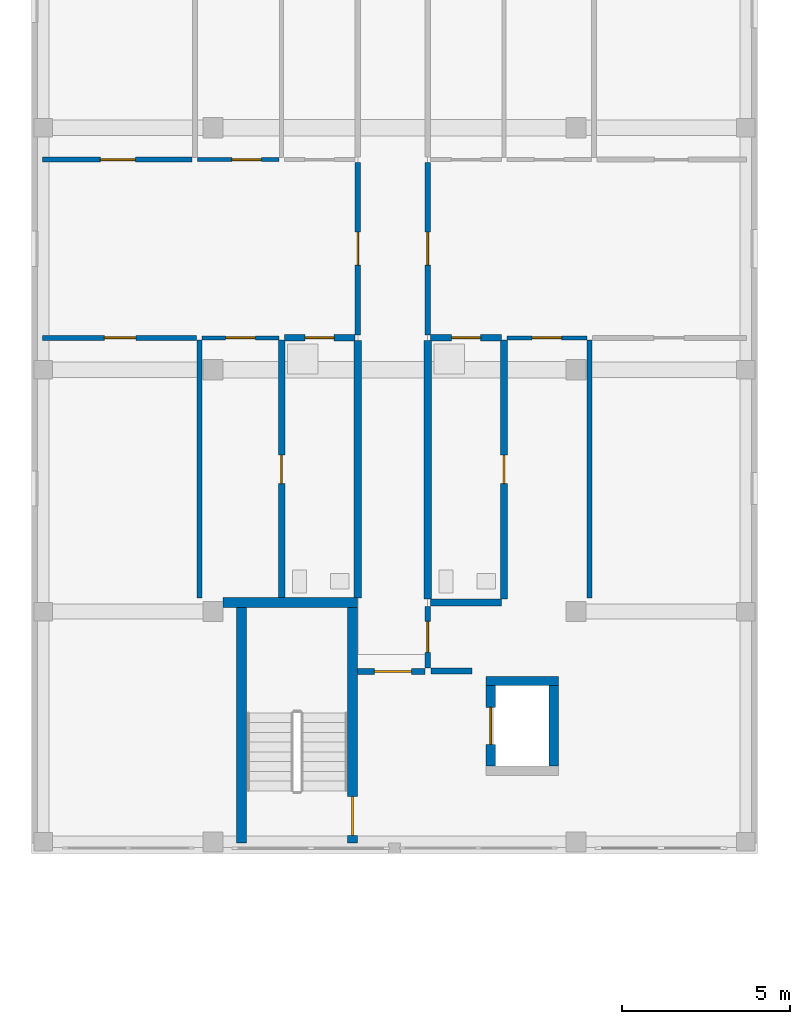
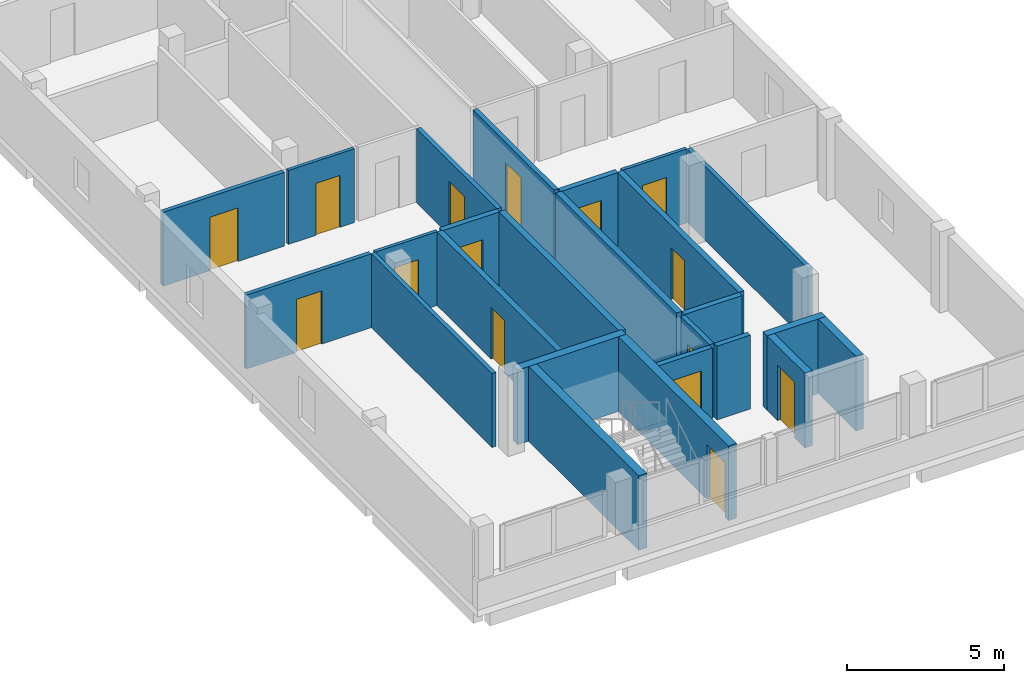
# One storey, part 16 of 38: 25 walls, 15 doors, 15 openings.
"""IFC4 building model written with IfcOpenShell, lengths in metres."""

from ifc_helpers import new_model, si_unit, derived_unit, direction, frame, frame_2d, origin, place, context, subcontext, project, spatial, rectangle, extrude, material, layer, layer_set, type_object, element, fill, save


model = new_model("IFC4")

# Units and contexts
model_context = context("Model", 3, precision=1e-05, world=origin(), true_north=direction((0.0, 1.0)))
body_context = subcontext(model_context, "Body", "Model", "MODEL_VIEW")
ifc_project = project(units=[si_unit("LENGTHUNIT", "METRE"), si_unit("AREAUNIT", "SQUARE_METRE"), si_unit("VOLUMEUNIT", "CUBIC_METRE"), si_unit("PLANEANGLEUNIT", "RADIAN"), si_unit("MASSUNIT", "GRAM", prefix="KILO"), derived_unit("THERMALTRANSMITTANCEUNIT", [(si_unit("MASSUNIT", "GRAM", prefix="KILO"), 1), (si_unit("TIMEUNIT", "SECOND"), -3), (si_unit("THERMODYNAMICTEMPERATUREUNIT", "KELVIN"), -1)])], contexts=[model_context])

# Site, building, storey
site_placement = place(None, origin())
site = spatial("IfcSite", under=ifc_project, at=site_placement, CompositionType="ELEMENT")
building_placement = place(site_placement, origin())
building = spatial("IfcBuilding", under=site, at=building_placement, Name="Ochrekiln Boulevard Commons", CompositionType="ELEMENT")
storey_placement = place(building_placement, frame((0.0, 0.0, 24.675048828125)))
storey = spatial("IfcBuildingStorey", under=building, at=storey_placement, Name="L07", CompositionType="ELEMENT", Elevation=24.675048828125)

# Wall
ifc_material_1 = material(Name="Moisture-resistant cementitious tile backer wall")
ifc_layer_1 = layer(ifc_material_1, 0.199951171875)
ifc_layer_set_1 = layer_set([ifc_layer_1], Name="Moisture-resistant cementitious tile backer wall")
wall_type_1 = type_object("IfcWallType", Name="WL-PLM-200", PredefinedType="PLUMBINGWALL", material=ifc_layer_set_1)
wall_1_placement = place(storey_placement, frame((11.8720703125, 75.875, 0.0), z_axis=(0.0, 0.0, 1.0), x_axis=(1.0, 0.0, 0.0)))
element("IfcWall", 1, at=wall_1_placement, inside=storey, type_object=wall_type_1, Name="L07 Interior Wall W-PW200", PredefinedType="PLUMBINGWALL", context=body_context, shape_type="SweptSolid", body=[
    extrude(rectangle(XDim=2.10791015625, YDim=0.199951171875, at=frame_2d((1.053955078125, 0.0))), origin(), (0.0, 0.0, 1.0), 2.869873046875),
])

# Wall, opening, door
wall_2_placement = place(storey_placement, frame((7.52001953125, 83.75, 0.0), z_axis=(0.0, 0.0, 1.0), x_axis=(1.0, 0.0, 0.0)))
wall_2 = element("IfcWall", 2, at=wall_2_placement, inside=storey, type_object=wall_type_1, Name="L07 Interior Wall W-PW200", PredefinedType="PLUMBINGWALL", context=body_context, shape_type="SweptSolid", body=[
    extrude(rectangle(XDim=2.10791015625, YDim=0.199951171875, at=frame_2d((1.053955078125, 0.0))), origin(), (0.0, 0.0, 1.0), 2.869873046875),
])
opening_1_placement = place(wall_2_placement, frame((0.6201171875, 0.0, 0.0)))
opening_1 = element("IfcOpeningElement", 3, at=opening_1_placement, cuts=wall_2, Name="Opening D-L07-903", PredefinedType="OPENING", context=body_context, shape_type="SweptSolid", body=[
    extrude(rectangle(XDim=0.860107421875, YDim=2.0, at=frame_2d((0.43017578125, 1.0))), frame((0.0, 0.10986328125, 0.0), z_axis=(0.0, -1.0, 0.0), x_axis=(1.0, 0.0, 0.0)), (0.0, 0.0, 1.0), 0.219970703125),
])
ifc_material_2 = material(Name="Solid core architectural oak door leaf")
door_type_1 = type_object("IfcDoorType", Name="DR-INT-BTH-086", OperationType="NOTDEFINED", PredefinedType="DOOR", material=ifc_material_2)
door_1_placement = place(opening_1_placement, frame((0.860107421875, 0.0, 0.0), z_axis=(0.0, 0.0, 1.0), x_axis=(-1.0, 0.0, 0.0)))
door_1 = element("IfcDoor", 4, at=door_1_placement, inside=storey, type_object=door_type_1, Name="L07 Interior Door to Accessible Apartment Bathroom", OperationType="SINGLE_SWING_LEFT", OverallHeight=2.0, OverallWidth=0.860107421875, PredefinedType="DOOR", context=body_context, shape_type="SweptSolid", body=[
    extrude(rectangle(XDim=0.860107421875, YDim=2.0, at=frame_2d((0.43017578125, 1.0))), frame((0.0, 0.02490234375, 0.0), z_axis=(0.0, -1.0, 0.0), x_axis=(1.0, 0.0, 0.0)), (0.0, 0.0, 1.0), 0.050048828125),
])
fill(opening_1, door_1)

wall_3_placement = place(storey_placement, frame((7.43994140625, 76.0, 0.0), z_axis=(0.0, 0.0, 1.0), x_axis=(0.0, 1.0, 0.0)))
wall_3 = element("IfcWall", 5, at=wall_3_placement, inside=storey, type_object=wall_type_1, Name="L07 Interior Wall W-PW200", PredefinedType="PLUMBINGWALL", context=body_context, shape_type="SweptSolid", body=[
    extrude(rectangle(XDim=7.68994140625, YDim=0.199951171875, at=frame_2d((3.844970703125, 0.0))), origin(), (0.0, 0.0, 1.0), 2.869873046875),
])
opening_2_placement = place(wall_3_placement, frame((3.409912109375, 0.0, 0.0)))
opening_2 = element("IfcOpeningElement", 6, at=opening_2_placement, cuts=wall_3, Name="Opening D-L07-909", PredefinedType="OPENING", context=body_context, shape_type="SweptSolid", body=[
    extrude(rectangle(XDim=0.85009765625, YDim=2.010009765625, at=frame_2d((0.425048828125, 1.0048828125))), frame((0.0, 0.10986328125, 0.0), z_axis=(0.0, -1.0, 0.0), x_axis=(1.0, 0.0, 0.0)), (0.0, 0.0, 1.0), 0.219970703125),
])
door_type_2 = type_object("IfcDoorType", Name="DR-INT-KIT-085", OperationType="NOTDEFINED", PredefinedType="DOOR", material=ifc_material_2)
door_2_placement = place(opening_2_placement, frame((0.85009765625, 0.0, 0.0), z_axis=(0.0, 0.0, 1.0), x_axis=(-1.0, 0.0, 0.0)))
door_2 = element("IfcDoor", 7, at=door_2_placement, inside=storey, type_object=door_type_2, Name="L07 Interior Door to Accessible Apartment Bathroom", OperationType="SINGLE_SWING_LEFT", OverallHeight=2.010009765625, OverallWidth=0.85009765625, PredefinedType="DOOR", context=body_context, shape_type="SweptSolid", body=[
    extrude(rectangle(XDim=0.85009765625, YDim=2.010009765625, at=frame_2d((0.425048828125, 1.0048828125))), frame((0.0, 0.02490234375, 0.0), z_axis=(0.0, -1.0, 0.0), x_axis=(1.0, 0.0, 0.0)), (0.0, 0.0, 1.0), 0.050048828125),
])
fill(opening_2, door_2)

wall_4_placement = place(storey_placement, frame((11.8720703125, 83.75, 0.0), z_axis=(0.0, 0.0, 1.0), x_axis=(1.0, 0.0, 0.0)))
wall_4 = element("IfcWall", 8, at=wall_4_placement, inside=storey, type_object=wall_type_1, Name="L07 Interior Wall W-PW200", PredefinedType="PLUMBINGWALL", context=body_context, shape_type="SweptSolid", body=[
    extrude(rectangle(XDim=2.10791015625, YDim=0.199951171875, at=frame_2d((1.053955078125, 0.0))), origin(), (0.0, 0.0, 1.0), 2.869873046875),
])
opening_3_placement = place(wall_4_placement, frame((0.6279296875, 0.0, 0.0)))
opening_3 = element("IfcOpeningElement", 9, at=opening_3_placement, cuts=wall_4, Name="Opening D-L07-914", PredefinedType="OPENING", context=body_context, shape_type="SweptSolid", body=[
    extrude(rectangle(XDim=0.860107421875, YDim=2.0, at=frame_2d((0.43017578125, 1.0))), frame((0.0, 0.10986328125, 0.0), z_axis=(0.0, -1.0, 0.0), x_axis=(1.0, 0.0, 0.0)), (0.0, 0.0, 1.0), 0.219970703125),
])
door_3_placement = place(opening_3_placement, frame((0.860107421875, 0.0, 0.0), z_axis=(0.0, 0.0, 1.0), x_axis=(-1.0, 0.0, 0.0)))
door_3 = element("IfcDoor", 10, at=door_3_placement, inside=storey, type_object=door_type_1, Name="L07 Interior Door to Apartment Bathroom", OperationType="SINGLE_SWING_RIGHT", OverallHeight=2.0, OverallWidth=0.860107421875, PredefinedType="DOOR", context=body_context, shape_type="SweptSolid", body=[
    extrude(rectangle(XDim=0.860107421875, YDim=2.0, at=frame_2d((0.43017578125, 1.0))), frame((0.0, 0.02490234375, 0.0), z_axis=(0.0, -1.0, 0.0), x_axis=(1.0, 0.0, 0.0)), (0.0, 0.0, 1.0), 0.050048828125),
])
fill(opening_3, door_3)

wall_5_placement = place(storey_placement, frame((14.06005859375, 75.97509765625, 0.0), z_axis=(0.0, 0.0, 1.0), x_axis=(0.0, 1.0, 0.0)))
wall_5 = element("IfcWall", 11, at=wall_5_placement, inside=storey, type_object=wall_type_1, Name="L07 Interior Wall W-PW200", PredefinedType="PLUMBINGWALL", context=body_context, shape_type="SweptSolid", body=[
    extrude(rectangle(XDim=7.71484375, YDim=0.199951171875, at=frame_2d((3.857421875, 0.0))), origin(), (0.0, 0.0, 1.0), 2.869873046875),
])
opening_4_placement = place(wall_5_placement, frame((3.43505859375, 0.0, 0.0)))
opening_4 = element("IfcOpeningElement", 12, at=opening_4_placement, cuts=wall_5, Name="Opening D-L07-920", PredefinedType="OPENING", context=body_context, shape_type="SweptSolid", body=[
    extrude(rectangle(XDim=0.85009765625, YDim=2.010009765625, at=frame_2d((0.425048828125, 1.0048828125))), frame((0.0, 0.10986328125, 0.0), z_axis=(0.0, -1.0, 0.0), x_axis=(1.0, 0.0, 0.0)), (0.0, 0.0, 1.0), 0.219970703125),
])
door_4_placement = place(opening_4_placement, origin())
door_4 = element("IfcDoor", 13, at=door_4_placement, inside=storey, type_object=door_type_2, Name="L07 Interior Door to Apartment Bathroom", OperationType="SINGLE_SWING_RIGHT", OverallHeight=2.010009765625, OverallWidth=0.85009765625, PredefinedType="DOOR", context=body_context, shape_type="SweptSolid", body=[
    extrude(rectangle(XDim=0.85009765625, YDim=2.010009765625, at=frame_2d((0.425048828125, 1.0048828125))), frame((0.0, 0.02490234375, 0.0), z_axis=(0.0, -1.0, 0.0), x_axis=(1.0, 0.0, 0.0)), (0.0, 0.0, 1.0), 0.050048828125),
])
fill(opening_4, door_4)

# Walls
ifc_layer_2 = layer(ifc_material_1, 0.219970703125)
ifc_layer_set_2 = layer_set([ifc_layer_2], Name="Moisture-resistant cementitious tile backer wall")
wall_type_2 = type_object("IfcWallType", Name="WL-PLM-220", PredefinedType="PLUMBINGWALL", material=ifc_layer_set_2)
wall_6_placement = place(storey_placement, frame((9.7099609375, 76.0, 0.0), z_axis=(0.0, 0.0, 1.0), x_axis=(0.0, 1.0, 0.0)))
element("IfcWall", 14, at=wall_6_placement, inside=storey, type_object=wall_type_2, Name="L07 Interior Wall W-PW220", PredefinedType="PLUMBINGWALL", context=body_context, shape_type="SweptSolid", body=[
    extrude(rectangle(XDim=7.669921875, YDim=0.219970703125, at=frame_2d((3.8349609375, 0.0))), origin(), (0.0, 0.0, 1.0), 2.869873046875),
])
wall_7_placement = place(storey_placement, frame((11.7900390625, 75.97509765625, 0.0), z_axis=(0.0, 0.0, 1.0), x_axis=(0.0, 1.0, 0.0)))
element("IfcWall", 15, at=wall_7_placement, inside=storey, type_object=wall_type_2, Name="L07 Interior Wall W-PW220", PredefinedType="PLUMBINGWALL", context=body_context, shape_type="SweptSolid", body=[
    extrude(rectangle(XDim=7.69482421875, YDim=0.219970703125, at=frame_2d((3.847412109375, 0.0))), origin(), (0.0, 0.0, 1.0), 2.869873046875),
])

# Wall, opening, door
ifc_material_3 = material(Name="Fire-rated Type X gypsum board on steel studs", Category="steel")
ifc_layer_3 = layer(ifc_material_3, 0.1650390625)
ifc_layer_set_3 = layer_set([ifc_layer_3], Name="Fire-rated Type X gypsum board on steel studs")
wall_type_3 = type_object("IfcWallType", Name="WL-PT-CORR-165", PredefinedType="PARTITIONING", material=ifc_layer_set_3)
wall_8_placement = place(storey_placement, frame((11.7900390625, 73.929931640625, 0.0), z_axis=(0.0, 0.0, 1.0), x_axis=(0.0, 1.0, 0.0)))
wall_8 = element("IfcWall", 16, at=wall_8_placement, inside=storey, type_object=wall_type_3, Name="L07 Interior Wall W-PC165", PredefinedType="PARTITIONING", context=body_context, shape_type="SweptSolid", body=[
    extrude(rectangle(XDim=1.820068359375, YDim=0.1650390625, at=frame_2d((0.91015625, 0.0))), origin(), (0.0, 0.0, 1.0), 2.869873046875),
])
opening_5_placement = place(wall_8_placement, frame((0.4599609375, 0.0, 0.0)))
opening_5 = element("IfcOpeningElement", 17, at=opening_5_placement, cuts=wall_8, Name="Opening D-L07-898", PredefinedType="OPENING", context=body_context, shape_type="SweptSolid", body=[
    extrude(rectangle(XDim=0.919921875, YDim=2.0400390625, at=frame_2d((0.4599609375, 1.02001953125))), frame((0.0, 0.092529296875, 0.0), z_axis=(0.0, -1.0, 0.0), x_axis=(1.0, 0.0, 0.0)), (0.0, 0.0, 1.0), 0.18505859375),
])
ifc_material_4 = material(Name="Hollow metal fire-rated steel door assembly", Category="steel")
door_type_3 = type_object("IfcDoorType", Name="DR-SRV-90", OperationType="NOTDEFINED", PredefinedType="DOOR", material=ifc_material_4)
door_5_placement = place(opening_5_placement, frame((0.919921875, 0.0, 0.0), z_axis=(0.0, 0.0, 1.0), x_axis=(-1.0, 0.0, 0.0)))
door_5 = element("IfcDoor", 18, at=door_5_placement, inside=storey, type_object=door_type_3, Name="L07 Interior Door to Hydronic and Electrical Riser Room", OperationType="SINGLE_SWING_RIGHT", OverallHeight=2.0400390625, OverallWidth=0.919921875, PredefinedType="DOOR", context=body_context, shape_type="SweptSolid", body=[
    extrude(rectangle(XDim=0.919921875, YDim=2.0400390625, at=frame_2d((0.4599609375, 1.02001953125))), frame((0.0, 0.02490234375, 0.0), z_axis=(0.0, -1.0, 0.0), x_axis=(1.0, 0.0, 0.0)), (0.0, 0.0, 1.0), 0.050048828125),
])
fill(opening_5, door_5)

wall_9_placement = place(storey_placement, frame((9.7099609375, 83.830078125, 0.0), z_axis=(0.0, 0.0, 1.0), x_axis=(0.0, 1.0, 0.0)))
wall_9 = element("IfcWall", 19, at=wall_9_placement, inside=storey, type_object=wall_type_3, Name="L07 Interior Wall W-PC165", PredefinedType="PARTITIONING", context=body_context, shape_type="SweptSolid", body=[
    extrude(rectangle(XDim=5.139892578125, YDim=0.1650390625, at=frame_2d((2.56982421875, 0.0))), origin(), (0.0, 0.0, 1.0), 2.869873046875),
])
opening_6_placement = place(wall_9_placement, frame((2.080078125, 0.0, 0.0)))
opening_6 = element("IfcOpeningElement", 20, at=opening_6_placement, cuts=wall_9, Name="Opening D-L07-899", PredefinedType="OPENING", context=body_context, shape_type="SweptSolid", body=[
    extrude(rectangle(XDim=0.97998046875, YDim=2.080078125, at=frame_2d((0.489990234375, 1.0400390625))), frame((0.0, 0.092529296875, 0.0), z_axis=(0.0, -1.0, 0.0), x_axis=(1.0, 0.0, 0.0)), (0.0, 0.0, 1.0), 0.18505859375),
])
door_type_4 = type_object("IfcDoorType", Name="DR-APT-60", OperationType="NOTDEFINED", PredefinedType="DOOR", material=ifc_material_2)
door_6_placement = place(opening_6_placement, origin())
door_6 = element("IfcDoor", 21, at=door_6_placement, inside=storey, type_object=door_type_4, Name="L07 Interior Door to Two-Bedroom Apartment Living Room", OperationType="SINGLE_SWING_LEFT", OverallHeight=2.080078125, OverallWidth=0.97998046875, PredefinedType="DOOR", context=body_context, shape_type="SweptSolid", body=[
    extrude(rectangle(XDim=0.97998046875, YDim=2.080078125, at=frame_2d((0.489990234375, 1.0400390625))), frame((0.0, 0.02490234375, 0.0), z_axis=(0.0, -1.0, 0.0), x_axis=(1.0, 0.0, 0.0)), (0.0, 0.0, 1.0), 0.050048828125),
])
fill(opening_6, door_6)

wall_10_placement = place(storey_placement, frame((11.7900390625, 83.830078125, 0.0), z_axis=(0.0, 0.0, 1.0), x_axis=(0.0, 1.0, 0.0)))
wall_10 = element("IfcWall", 22, at=wall_10_placement, inside=storey, type_object=wall_type_3, Name="L07 Interior Wall W-PC165", PredefinedType="PARTITIONING", context=body_context, shape_type="SweptSolid", body=[
    extrude(rectangle(XDim=5.139892578125, YDim=0.1650390625, at=frame_2d((2.56982421875, 0.0))), origin(), (0.0, 0.0, 1.0), 2.869873046875),
])
opening_7_placement = place(wall_10_placement, frame((2.080078125, 0.0, 0.0)))
opening_7 = element("IfcOpeningElement", 23, at=opening_7_placement, cuts=wall_10, Name="Opening D-L07-901", PredefinedType="OPENING", context=body_context, shape_type="SweptSolid", body=[
    extrude(rectangle(XDim=0.97998046875, YDim=2.080078125, at=frame_2d((0.489990234375, 1.0400390625))), frame((0.0, 0.092529296875, 0.0), z_axis=(0.0, -1.0, 0.0), x_axis=(1.0, 0.0, 0.0)), (0.0, 0.0, 1.0), 0.18505859375),
])
door_7_placement = place(opening_7_placement, frame((0.97998046875, 0.0, 0.0), z_axis=(0.0, 0.0, 1.0), x_axis=(-1.0, 0.0, 0.0)))
door_7 = element("IfcDoor", 24, at=door_7_placement, inside=storey, type_object=door_type_4, Name="L07 Interior Door to Two-Bedroom Apartment Living Room", OperationType="SINGLE_SWING_LEFT", OverallHeight=2.080078125, OverallWidth=0.97998046875, PredefinedType="DOOR", context=body_context, shape_type="SweptSolid", body=[
    extrude(rectangle(XDim=0.97998046875, YDim=2.080078125, at=frame_2d((0.489990234375, 1.0400390625))), frame((0.0, 0.02490234375, 0.0), z_axis=(0.0, -1.0, 0.0), x_axis=(1.0, 0.0, 0.0)), (0.0, 0.0, 1.0), 0.050048828125),
])
fill(opening_7, door_7)

# Wall
ifc_layer_4 = layer(ifc_material_3, 0.18994140625)
ifc_layer_set_4 = layer_set([ifc_layer_4], Name="Fire-rated Type X gypsum board on steel studs")
wall_type_4 = type_object("IfcWallType", Name="WL-PT-LBY-190", PredefinedType="PARTITIONING", material=ifc_layer_set_4)
wall_11_placement = place(storey_placement, frame((11.8798828125, 73.8349609375, 0.0), z_axis=(0.0, 0.0, 1.0), x_axis=(1.0, 0.0, 0.0)))
element("IfcWall", 25, at=wall_11_placement, inside=storey, type_object=wall_type_4, Name="L07 Interior Wall W-PL190", PredefinedType="PARTITIONING", context=body_context, shape_type="SweptSolid", body=[
    extrude(rectangle(XDim=1.22021484375, YDim=0.18994140625, at=frame_2d((0.610107421875, 0.0))), origin(), (0.0, 0.0, 1.0), 2.869873046875),
])

# Wall, opening, door
wall_12_placement = place(storey_placement, frame((9.699951171875, 73.820068359375, 0.0), z_axis=(0.0, 0.0, 1.0), x_axis=(1.0, 0.0, 0.0)))
wall_12 = element("IfcWall", 26, at=wall_12_placement, inside=storey, type_object=wall_type_4, Name="L07 Interior Wall W-PL190", PredefinedType="PARTITIONING", context=body_context, shape_type="SweptSolid", body=[
    extrude(rectangle(XDim=2.0, YDim=0.18994140625, at=frame_2d((1.0, 0.0))), origin(), (0.0, 0.0, 1.0), 2.869873046875),
])
opening_8_placement = place(wall_12_placement, frame((0.5, 0.0, 0.0)))
opening_8 = element("IfcOpeningElement", 27, at=opening_8_placement, cuts=wall_12, Name="Opening D-L07-896", PredefinedType="OPENING", context=body_context, shape_type="SweptSolid", body=[
    extrude(rectangle(XDim=1.10009765625, YDim=2.1201171875, at=frame_2d((0.550048828125, 1.06005859375))), frame((0.0, 0.10498046875, 0.0), z_axis=(0.0, -1.0, 0.0), x_axis=(1.0, 0.0, 0.0)), (0.0, 0.0, 1.0), 0.2099609375),
])
door_type_5 = type_object("IfcDoorType", Name="DR-LOBBY-60", OperationType="NOTDEFINED", PredefinedType="DOOR", material=ifc_material_4)
door_8_placement = place(opening_8_placement, frame((1.10009765625, 0.0, 0.0), z_axis=(0.0, 0.0, 1.0), x_axis=(-1.0, 0.0, 0.0)))
door_8 = element("IfcDoor", 28, at=door_8_placement, inside=storey, type_object=door_type_5, Name="L07 Interior Door to Fire Service Access Elevator Lobby", OperationType="SINGLE_SWING_RIGHT", OverallHeight=2.1201171875, OverallWidth=1.10009765625, PredefinedType="DOOR", context=body_context, shape_type="SweptSolid", body=[
    extrude(rectangle(XDim=1.10009765625, YDim=2.1201171875, at=frame_2d((0.550048828125, 1.06005859375))), frame((0.0, 0.02490234375, 0.0), z_axis=(0.0, -1.0, 0.0), x_axis=(1.0, 0.0, 0.0)), (0.0, 0.0, 1.0), 0.050048828125),
])
fill(opening_8, door_8)

ifc_layer_5 = layer(ifc_material_3, 0.1201171875)
ifc_layer_set_5 = layer_set([ifc_layer_5], Name="Fire-rated Type X gypsum board on steel studs")
wall_type_5 = type_object("IfcWallType", Name="WL-PT-LGT-120", PredefinedType="PARTITIONING", material=ifc_layer_set_5)
wall_13_placement = place(storey_placement, frame((5.072998046875, 83.75, 0.0), z_axis=(0.0, 0.0, 1.0), x_axis=(1.0, 0.0, 0.0)))
wall_13 = element("IfcWall", 29, at=wall_13_placement, inside=storey, type_object=wall_type_5, Name="L07 Interior Wall W-PL120", PredefinedType="PARTITIONING", context=body_context, shape_type="SweptSolid", body=[
    extrude(rectangle(XDim=2.287109375, YDim=0.1201171875, at=frame_2d((1.1435546875, 0.0))), origin(), (0.0, 0.0, 1.0), 2.869873046875),
])
opening_9_placement = place(wall_13_placement, frame((0.702880859375, 0.0, 0.0)))
opening_9 = element("IfcOpeningElement", 30, at=opening_9_placement, cuts=wall_13, Name="Opening D-L07-906", PredefinedType="OPENING", context=body_context, shape_type="SweptSolid", body=[
    extrude(rectangle(XDim=0.8798828125, YDim=2.02001953125, at=frame_2d((0.43994140625, 1.010009765625))), frame((0.0, 0.070068359375, 0.0), z_axis=(0.0, -1.0, 0.0), x_axis=(1.0, 0.0, 0.0)), (0.0, 0.0, 1.0), 0.14013671875),
])
door_type_6 = type_object("IfcDoorType", Name="DR-INT-KIT-088", OperationType="NOTDEFINED", PredefinedType="DOOR", material=ifc_material_2)
door_9_placement = place(opening_9_placement, frame((0.8798828125, 0.0, 0.0), z_axis=(0.0, 0.0, 1.0), x_axis=(-1.0, 0.0, 0.0)))
door_9 = element("IfcDoor", 31, at=door_9_placement, inside=storey, type_object=door_type_6, Name="L07 Interior Door to Apartment Walk-In Wardrobe", OperationType="SINGLE_SWING_RIGHT", OverallHeight=2.02001953125, OverallWidth=0.8798828125, PredefinedType="DOOR", context=body_context, shape_type="SweptSolid", body=[
    extrude(rectangle(XDim=0.8798828125, YDim=2.02001953125, at=frame_2d((0.43994140625, 1.010009765625))), frame((0.0, 0.02490234375, 0.0), z_axis=(0.0, -1.0, 0.0), x_axis=(1.0, 0.0, 0.0)), (0.0, 0.0, 1.0), 0.050048828125),
])
fill(opening_9, door_9)

wall_14_placement = place(storey_placement, frame((4.93994140625, 89.050048828125, 0.0), z_axis=(0.0, 0.0, 1.0), x_axis=(1.0, 0.0, 0.0)))
wall_14 = element("IfcWall", 32, at=wall_14_placement, inside=storey, type_object=wall_type_5, Name="L07 Interior Wall W-PL120", PredefinedType="PARTITIONING", context=body_context, shape_type="SweptSolid", body=[
    extrude(rectangle(XDim=2.420166015625, YDim=0.1201171875, at=frame_2d((1.2099609375, 0.0))), origin(), (0.0, 0.0, 1.0), 2.869873046875),
])
opening_10_placement = place(wall_14_placement, frame((1.02001953125, 0.0, 0.0)))
opening_10 = element("IfcOpeningElement", 33, at=opening_10_placement, cuts=wall_14, Name="Opening D-L07-908", PredefinedType="OPENING", context=body_context, shape_type="SweptSolid", body=[
    extrude(rectangle(XDim=0.8798828125, YDim=2.02001953125, at=frame_2d((0.43994140625, 1.010009765625))), frame((0.0, 0.070068359375, 0.0), z_axis=(0.0, -1.0, 0.0), x_axis=(1.0, 0.0, 0.0)), (0.0, 0.0, 1.0), 0.14013671875),
])
door_10_placement = place(opening_10_placement, origin())
door_10 = element("IfcDoor", 34, at=door_10_placement, inside=storey, type_object=door_type_6, Name="L07 Interior Door to Apartment Walk-In Wardrobe", OperationType="SINGLE_SWING_RIGHT", OverallHeight=2.02001953125, OverallWidth=0.8798828125, PredefinedType="DOOR", context=body_context, shape_type="SweptSolid", body=[
    extrude(rectangle(XDim=0.8798828125, YDim=2.02001953125, at=frame_2d((0.43994140625, 1.010009765625))), frame((0.0, 0.02490234375, 0.0), z_axis=(0.0, -1.0, 0.0), x_axis=(1.0, 0.0, 0.0)), (0.0, 0.0, 1.0), 0.050048828125),
])
fill(opening_10, door_10)

wall_15_placement = place(storey_placement, frame((14.139892578125, 83.75, 0.0), z_axis=(0.0, 0.0, 1.0), x_axis=(1.0, 0.0, 0.0)))
wall_15 = element("IfcWall", 35, at=wall_15_placement, inside=storey, type_object=wall_type_5, Name="L07 Interior Wall W-PL120", PredefinedType="PARTITIONING", context=body_context, shape_type="SweptSolid", body=[
    extrude(rectangle(XDim=2.38720703125, YDim=0.1201171875, at=frame_2d((1.193603515625, 0.0))), origin(), (0.0, 0.0, 1.0), 2.869873046875),
])
opening_11_placement = place(wall_15_placement, frame((0.75390625, 0.0, 0.0)))
opening_11 = element("IfcOpeningElement", 36, at=opening_11_placement, cuts=wall_15, Name="Opening D-L07-917", PredefinedType="OPENING", context=body_context, shape_type="SweptSolid", body=[
    extrude(rectangle(XDim=0.8798828125, YDim=2.02001953125, at=frame_2d((0.43994140625, 1.010009765625))), frame((0.0, 0.070068359375, 0.0), z_axis=(0.0, -1.0, 0.0), x_axis=(1.0, 0.0, 0.0)), (0.0, 0.0, 1.0), 0.14013671875),
])
door_11_placement = place(opening_11_placement, frame((0.8798828125, 0.0, 0.0), z_axis=(0.0, 0.0, 1.0), x_axis=(-1.0, 0.0, 0.0)))
door_11 = element("IfcDoor", 37, at=door_11_placement, inside=storey, type_object=door_type_6, Name="L07 Interior Door to Apartment Walk-In Wardrobe", OperationType="SINGLE_SWING_LEFT", OverallHeight=2.02001953125, OverallWidth=0.8798828125, PredefinedType="DOOR", context=body_context, shape_type="SweptSolid", body=[
    extrude(rectangle(XDim=0.8798828125, YDim=2.02001953125, at=frame_2d((0.43994140625, 1.010009765625))), frame((0.0, 0.02490234375, 0.0), z_axis=(0.0, -1.0, 0.0), x_axis=(1.0, 0.0, 0.0)), (0.0, 0.0, 1.0), 0.050048828125),
])
fill(opening_11, door_11)

ifc_layer_6 = layer(ifc_material_3, 0.14990234375)
ifc_layer_set_6 = layer_set([ifc_layer_6], Name="Fire-rated Type X gypsum board on steel studs")
wall_type_6 = type_object("IfcWallType", Name="WL-PT-STD-150", PredefinedType="PARTITIONING", material=ifc_layer_set_6)
wall_16_placement = place(storey_placement, frame((0.320068359375, 83.75, 0.0), z_axis=(0.0, 0.0, 1.0), x_axis=(1.0, 0.0, 0.0)))
wall_16 = element("IfcWall", 38, at=wall_16_placement, inside=storey, type_object=wall_type_6, Name="L07 Interior Wall W-PS150", PredefinedType="PARTITIONING", context=body_context, shape_type="SweptSolid", body=[
    extrude(rectangle(XDim=4.593017578125, YDim=0.14990234375, at=frame_2d((2.29638671875, 0.0))), origin(), (0.0, 0.0, 1.0), 2.869873046875),
])
opening_12_placement = place(wall_16_placement, frame((1.842041015625, 0.0, 0.0)))
opening_12 = element("IfcOpeningElement", 39, at=opening_12_placement, cuts=wall_16, Name="Opening D-L07-905", PredefinedType="OPENING", context=body_context, shape_type="SweptSolid", body=[
    extrude(rectangle(XDim=0.93994140625, YDim=2.06005859375, at=frame_2d((0.469970703125, 1.030029296875))), frame((0.0, 0.0849609375, 0.0), z_axis=(0.0, -1.0, 0.0), x_axis=(1.0, 0.0, 0.0)), (0.0, 0.0, 1.0), 0.169921875),
])
door_type_7 = type_object("IfcDoorType", Name="DR-INT-BED-094", OperationType="NOTDEFINED", PredefinedType="DOOR", material=ifc_material_2)
door_12_placement = place(opening_12_placement, frame((0.93994140625, 0.0, 0.0), z_axis=(0.0, 0.0, 1.0), x_axis=(-1.0, 0.0, 0.0)))
door_12 = element("IfcDoor", 40, at=door_12_placement, inside=storey, type_object=door_type_7, Name="L07 Interior Door to Primary Apartment Bedroom", OperationType="SINGLE_SWING_LEFT", OverallHeight=2.06005859375, OverallWidth=0.93994140625, PredefinedType="DOOR", context=body_context, shape_type="SweptSolid", body=[
    extrude(rectangle(XDim=0.93994140625, YDim=2.06005859375, at=frame_2d((0.469970703125, 1.030029296875))), frame((0.0, 0.02490234375, 0.0), z_axis=(0.0, -1.0, 0.0), x_axis=(1.0, 0.0, 0.0)), (0.0, 0.0, 1.0), 0.050048828125),
])
fill(opening_12, door_12)

wall_17_placement = place(storey_placement, frame((0.320068359375, 89.050048828125, 0.0), z_axis=(0.0, 0.0, 1.0), x_axis=(1.0, 0.0, 0.0)))
wall_17 = element("IfcWall", 41, at=wall_17_placement, inside=storey, type_object=wall_type_6, Name="L07 Interior Wall W-PS150", PredefinedType="PARTITIONING", context=body_context, shape_type="SweptSolid", body=[
    extrude(rectangle(XDim=4.4599609375, YDim=0.14990234375, at=frame_2d((2.22998046875, 0.0))), origin(), (0.0, 0.0, 1.0), 2.869873046875),
])
opening_13_placement = place(wall_17_placement, frame((1.72509765625, 0.0, 0.0)))
opening_13 = element("IfcOpeningElement", 42, at=opening_13_placement, cuts=wall_17, Name="Opening D-L07-907", PredefinedType="OPENING", context=body_context, shape_type="SweptSolid", body=[
    extrude(rectangle(XDim=1.0400390625, YDim=2.080078125, at=frame_2d((0.52001953125, 1.0400390625))), frame((0.0, 0.0849609375, 0.0), z_axis=(0.0, -1.0, 0.0), x_axis=(1.0, 0.0, 0.0)), (0.0, 0.0, 1.0), 0.169921875),
])
door_type_8 = type_object("IfcDoorType", Name="DR-INT-BED-104", OperationType="NOTDEFINED", PredefinedType="DOOR", material=ifc_material_2)
door_13_placement = place(opening_13_placement, origin())
door_13 = element("IfcDoor", 43, at=door_13_placement, inside=storey, type_object=door_type_8, Name="L07 Interior Door to Secondary Apartment Bedroom", OperationType="SINGLE_SWING_LEFT", OverallHeight=2.080078125, OverallWidth=1.0400390625, PredefinedType="DOOR", context=body_context, shape_type="SweptSolid", body=[
    extrude(rectangle(XDim=1.0400390625, YDim=2.080078125, at=frame_2d((0.52001953125, 1.0400390625))), frame((0.0, 0.02490234375, 0.0), z_axis=(0.0, -1.0, 0.0), x_axis=(1.0, 0.0, 0.0)), (0.0, 0.0, 1.0), 0.050048828125),
])
fill(opening_13, door_13)

# Walls
for number, where, z_axis, x_axis, name in (
    (44, (4.992919921875, 76.0, 0.0), (0.0, 0.0, 1.0), (0.0, 1.0, 0.0), "L07 Interior Wall W-PS150"),
    (45, (16.60693359375, 76.0, 0.0), (0.0, 0.0, 1.0), (0.0, 1.0, 0.0), "L07 Interior Wall W-PS150"),
):
    element("IfcWall", number, at=place(storey_placement, frame(where, z_axis=z_axis, x_axis=x_axis)), inside=storey, type_object=wall_type_6, Name=name, PredefinedType="PARTITIONING", context=body_context, shape_type="SweptSolid", body=[
        extrude(rectangle(XDim=7.68994140625, YDim=0.14990234375, at=frame_2d((3.844970703125, 0.0))), origin(), (0.0, 0.0, 1.0), 2.869873046875),
    ])
ifc_material_5 = material(Name="Concrete C40/50", Category="concrete")
ifc_layer_7 = layer(ifc_material_5, 0.27490234375)
ifc_layer_set_7 = layer_set([ifc_layer_7], Name="Concrete C40/50")
wall_type_7 = type_object("IfcWallType", Name="WL-SH-275", PredefinedType="SHEAR", material=ifc_layer_set_7)
wall_18_placement = place(storey_placement, frame((13.52490234375, 73.53759765625, 0.0), z_axis=(0.0, 0.0, 1.0), x_axis=(1.0, 0.0, 0.0)))
element("IfcWall", 46, at=wall_18_placement, inside=storey, type_object=wall_type_7, Name="Elevator FF-A1 L07 Hoistway Shear Wall", PredefinedType="SHEAR", context=body_context, shape_type="SweptSolid", body=[
    extrude(rectangle(XDim=2.150146484375, YDim=0.27490234375, at=frame_2d((1.0751953125, 0.0))), origin(), (0.0, 0.0, 1.0), 2.89990234375),
])

# Wall, opening, door
wall_19_placement = place(storey_placement, frame((13.66259765625, 71.0, 0.0), z_axis=(0.0, 0.0, 1.0), x_axis=(0.0, 1.0, 0.0)))
wall_19 = element("IfcWall", 47, at=wall_19_placement, inside=storey, type_object=wall_type_7, Name="Elevator FF-A1 L07 Hoistway Shear Wall", PredefinedType="SHEAR", context=body_context, shape_type="SweptSolid", body=[
    extrude(rectangle(XDim=2.39990234375, YDim=0.27490234375, at=frame_2d((1.199951171875, 0.0))), origin(), (0.0, 0.0, 1.0), 2.89990234375),
])
opening_14_placement = place(wall_19_placement, frame((0.64990234375, 0.0, 0.0)))
opening_14 = element("IfcOpeningElement", 48, at=opening_14_placement, cuts=wall_19, Name="Opening LD-FF-A1-L07", PredefinedType="OPENING", context=body_context, shape_type="SweptSolid", body=[
    extrude(rectangle(XDim=1.10009765625, YDim=2.14990234375, at=frame_2d((0.550048828125, 1.074951171875))), frame((0.0, 0.1474609375, 0.0), z_axis=(0.0, -1.0, 0.0), x_axis=(1.0, 0.0, 0.0)), (0.0, 0.0, 1.0), 0.294921875),
])
ifc_material_6 = material(Name="Brushed stainless steel 316 elevator cab and doors", Category="steel")
door_type_9 = type_object("IfcDoorType", Name="DR-LIFT-LD90", OperationType="SLIDING_TO_LEFT", PredefinedType="DOOR", material=ifc_material_6)
door_14_placement = place(opening_14_placement, origin())
door_14 = element("IfcDoor", 49, at=door_14_placement, inside=storey, type_object=door_type_9, Name="Elevator FF-A1 L07 Sliding Landing Door LD-FF-A1-L07", OperationType="SLIDING_TO_LEFT", OverallHeight=2.14990234375, OverallWidth=1.10009765625, PredefinedType="DOOR", context=body_context, shape_type="SweptSolid", body=[
    extrude(rectangle(XDim=1.10009765625, YDim=2.14990234375, at=frame_2d((0.550048828125, 1.074951171875))), frame((0.0, 0.02490234375, 0.0), z_axis=(0.0, -1.0, 0.0), x_axis=(1.0, 0.0, 0.0)), (0.0, 0.0, 1.0), 0.050048828125),
])
fill(opening_14, door_14)

# Walls
wall_20_placement = place(storey_placement, frame((15.53759765625, 71.0, 0.0), z_axis=(0.0, 0.0, 1.0), x_axis=(0.0, 1.0, 0.0)))
element("IfcWall", 50, at=wall_20_placement, inside=storey, type_object=wall_type_7, Name="Elevator FF-A1 L07 Hoistway Shear Wall", PredefinedType="SHEAR", context=body_context, shape_type="SweptSolid", body=[
    extrude(rectangle(XDim=2.39990234375, YDim=0.27490234375, at=frame_2d((1.199951171875, 0.0))), origin(), (0.0, 0.0, 1.0), 2.89990234375),
])
ifc_layer_8 = layer(ifc_material_5, 0.300048828125)
ifc_layer_set_8 = layer_set([ifc_layer_8], Name="Concrete C40/50")
wall_type_8 = type_object("IfcWallType", Name="WL-SH-300", PredefinedType="SHEAR", material=ifc_layer_set_8)
wall_21_placement = place(storey_placement, frame((5.699951171875, 75.8701171875, 0.0), z_axis=(0.0, 0.0, 1.0), x_axis=(1.0, 0.0, 0.0)))
element("IfcWall", 51, at=wall_21_placement, inside=storey, type_object=wall_type_8, Name="Stair ST-A1 L07 Core Shear Wall N", PredefinedType="SHEAR", context=body_context, shape_type="SweptSolid", body=[
    extrude(rectangle(XDim=4.0, YDim=0.300048828125, at=frame_2d((2.0, 0.0))), origin(), (0.0, 0.0, 1.0), 2.89990234375),
])
wall_22_placement = place(storey_placement, frame((6.25, 68.719970703125, 0.0), z_axis=(0.0, 0.0, 1.0), x_axis=(0.0, 1.0, 0.0)))
element("IfcWall", 52, at=wall_22_placement, inside=storey, type_object=wall_type_8, Name="Stair ST-A1 L07 Core Shear Wall W", PredefinedType="SHEAR", context=body_context, shape_type="SweptSolid", body=[
    extrude(rectangle(XDim=7.0, YDim=0.300048828125, at=frame_2d((3.5, 0.0))), origin(), (0.0, 0.0, 1.0), 2.89990234375),
])

# Wall, opening, door
wall_23_placement = place(storey_placement, frame((9.550048828125, 68.719970703125, 0.0), z_axis=(0.0, 0.0, 1.0), x_axis=(0.0, 1.0, 0.0)))
wall_23 = element("IfcWall", 53, at=wall_23_placement, inside=storey, type_object=wall_type_8, Name="Stair ST-A1 L07 Core Shear Wall E", PredefinedType="SHEAR", context=body_context, shape_type="SweptSolid", body=[
    extrude(rectangle(XDim=7.0, YDim=0.300048828125, at=frame_2d((3.5, 0.0))), origin(), (0.0, 0.0, 1.0), 2.89990234375),
])
opening_15_placement = place(wall_23_placement, frame((0.22509765625, 0.0, 0.0)))
opening_15 = element("IfcOpeningElement", 54, at=opening_15_placement, cuts=wall_23, Name="Opening D-L07-ST-A1", PredefinedType="OPENING", context=body_context, shape_type="SweptSolid", body=[
    extrude(rectangle(XDim=1.14990234375, YDim=2.1201171875, at=frame_2d((0.574951171875, 1.06005859375))), frame((0.0, 0.159912109375, 0.0), z_axis=(0.0, -1.0, 0.0), x_axis=(1.0, 0.0, 0.0)), (0.0, 0.0, 1.0), 0.320068359375),
])
door_type_10 = type_object("IfcDoorType", Name="DR-STAIR-90", OperationType="NOTDEFINED", PredefinedType="DOOR", material=ifc_material_4)
door_15_placement = place(opening_15_placement, origin())
door_15 = element("IfcDoor", 55, at=door_15_placement, inside=storey, type_object=door_type_10, Name="Enclosed Exit Stair ST-A1 L07 Rated Door", OperationType="SINGLE_SWING_LEFT", OverallHeight=2.1201171875, OverallWidth=1.14990234375, PredefinedType="DOOR", context=body_context, shape_type="SweptSolid", body=[
    extrude(rectangle(XDim=1.14990234375, YDim=2.1201171875, at=frame_2d((0.574951171875, 1.06005859375))), frame((0.0, 0.02490234375, 0.0), z_axis=(0.0, -1.0, 0.0), x_axis=(1.0, 0.0, 0.0)), (0.0, 0.0, 1.0), 0.050048828125),
])
fill(opening_15, door_15)

save(model, "model.ifc")
